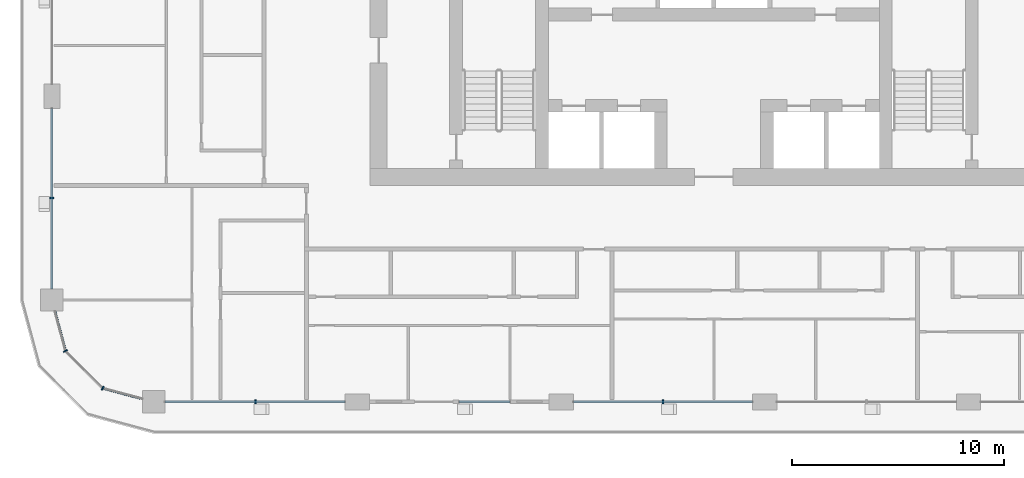
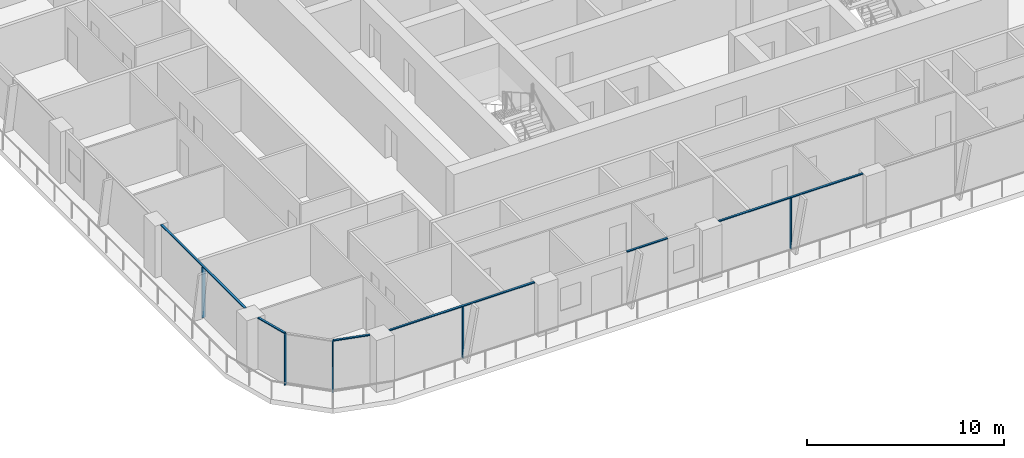
# One storey, part 2 of 22: 11 members, 5 elements without a shape of their own.
"""IFC4 building model written with IfcOpenShell, lengths in metres."""

from ifc_helpers import new_model, si_unit, direction, frame, origin, origin_2d, place, context, subcontext, project, spatial, rectangle, extrude, material, layer, layer_set, material_profile, profile_set, type_object, element, aggregate, save


model = new_model("IFC4")

# Units and contexts
model_context = context("Model", 3, precision=1e-05, world=origin(), true_north=direction((0.0, 1.0)))
body_context = subcontext(model_context, "Body", "Model", "MODEL_VIEW")
ifc_project = project(units=[si_unit("LENGTHUNIT", "METRE"), si_unit("AREAUNIT", "SQUARE_METRE"), si_unit("VOLUMEUNIT", "CUBIC_METRE"), si_unit("PLANEANGLEUNIT", "RADIAN"), si_unit("MASSUNIT", "GRAM", prefix="KILO")], contexts=[model_context])

# Site, building, storey
site_placement = place(None, origin())
site = spatial("IfcSite", under=ifc_project, at=site_placement, CompositionType="ELEMENT")
building_placement = place(site_placement, origin())
building = spatial("IfcBuilding", under=site, at=building_placement, Name="Madar Terraces", CompositionType="ELEMENT")
storey_placement = place(building_placement, frame((0.0, 0.0, 129.60009765625)))
storey = spatial("IfcBuildingStorey", under=building, at=storey_placement, Name="L33", CompositionType="ELEMENT", Elevation=129.60009765625)

# Curtain wall, member
ifc_material_1 = material(Name="Glass, ceramic frit dark grey, with black aluminium frame", Category="aluminium")
ifc_layer = layer(ifc_material_1, 0.199951171875)
ifc_layer_set = layer_set([ifc_layer], Name="Facade curtain wall, fritted glass")
curtain_wall_type = type_object("IfcCurtainWallType", Name="Facade curtain wall, fritted glass", PredefinedType="NOTDEFINED", material=ifc_layer_set)
curtain_wall_1_placement = place(storey_placement, origin())
curtain_wall_1 = element("IfcCurtainWall", 1, at=curtain_wall_1_placement, inside=storey, type_object=curtain_wall_type, Name="Outer skin curtain wall south bay 1", PredefinedType="NOTDEFINED")
ifc_material_2 = material(Name="Aluminium, black anodised", Category="aluminium")
ifc_material_profile_1 = material_profile(ifc_material_2, rectangle(XDim=0.199951171875, YDim=0.06005859375, at=origin_2d()), Name="Facade mullion 60x200")
ifc_profile_set_1 = profile_set([ifc_material_profile_1], Name="Aluminium, black anodised")
member_type_1 = type_object("IfcMemberType", Name="Facade mullion 60x200", PredefinedType="MULLION", material=ifc_profile_set_1)
member_1_placement = place(storey_placement, frame((9.60009765625, 4.800048828125, 0.0), z_axis=(0.0, 0.0, 1.0), x_axis=(0.0, 1.0, 0.0)))
member_1 = element("IfcMember", 2, at=member_1_placement, type_object=member_type_1, Name="Mullion 1", PredefinedType="MULLION", context=body_context, shape_type="SweptSolid", body=[
    extrude(rectangle(XDim=0.199951171875, YDim=0.06005859375, at=origin_2d()), origin(), (0.0, 0.0, 1.0), 3.139892578125),
])

curtain_wall_2_placement = place(storey_placement, origin())
curtain_wall_2 = element("IfcCurtainWall", 3, at=curtain_wall_2_placement, inside=storey, type_object=curtain_wall_type, Name="Outer skin curtain wall south bay 3", PredefinedType="NOTDEFINED")
member_2_placement = place(storey_placement, frame((28.800048828125, 4.800048828125, 0.0), z_axis=(0.0, 0.0, 1.0), x_axis=(0.0, 1.0, 0.0)))
member_2 = element("IfcMember", 4, at=member_2_placement, type_object=member_type_1, Name="Mullion 1", PredefinedType="MULLION", context=body_context, shape_type="SweptSolid", body=[
    extrude(rectangle(XDim=0.199951171875, YDim=0.06005859375, at=origin_2d()), origin(), (0.0, 0.0, 1.0), 3.139892578125),
])

curtain_wall_3_placement = place(storey_placement, origin())
curtain_wall_3 = element("IfcCurtainWall", 5, at=curtain_wall_3_placement, inside=storey, type_object=curtain_wall_type, Name="Outer skin curtain wall west bay 4", PredefinedType="NOTDEFINED")
member_3_placement = place(storey_placement, frame((0.0, 14.39990234375, 0.0), z_axis=(0.0, 0.0, 1.0), x_axis=(1.0, 0.0, 0.0)))
member_3 = element("IfcMember", 6, at=member_3_placement, type_object=member_type_1, Name="Mullion 1", PredefinedType="MULLION", context=body_context, shape_type="SweptSolid", body=[
    extrude(rectangle(XDim=0.199951171875, YDim=0.06005859375, at=origin_2d()), origin(), (0.0, 0.0, 1.0), 3.139892578125),
])

# Curtain wall, members
curtain_wall_4_placement = place(storey_placement, origin())
curtain_wall_4 = element("IfcCurtainWall", 7, at=curtain_wall_4_placement, inside=storey, type_object=curtain_wall_type, Name="Outer skin curtain wall south-west corner", PredefinedType="NOTDEFINED")
member_4_placement = place(storey_placement, frame((0.64306640625, 7.199951171875, 0.0), z_axis=(0.0, 0.0, 1.0), x_axis=(0.866025409797, 0.499999989586, 0.0)))
member_4 = element("IfcMember", 8, at=member_4_placement, type_object=member_type_1, Name="Mullion 1", PredefinedType="MULLION", context=body_context, shape_type="SweptSolid", body=[
    extrude(rectangle(XDim=0.199951171875, YDim=0.06005859375, at=origin_2d()), origin(), (0.0, 0.0, 1.0), 3.139892578125),
])
member_5_placement = place(storey_placement, frame((2.39990234375, 5.443115234375, 0.0), z_axis=(0.0, 0.0, 1.0), x_axis=(0.499999989586, 0.866025409797, 0.0)))
member_5 = element("IfcMember", 9, at=member_5_placement, type_object=member_type_1, Name="Mullion 2", PredefinedType="MULLION", context=body_context, shape_type="SweptSolid", body=[
    extrude(rectangle(XDim=0.199951171875, YDim=0.06005859375, at=origin_2d()), origin(), (0.0, 0.0, 1.0), 3.139892578125),
])

# Member
ifc_material_3 = material(Name="Aluminium, black anodised", Category="aluminium")
ifc_material_profile_2 = material_profile(ifc_material_3, rectangle(XDim=0.1201171875, YDim=0.06005859375, at=origin_2d()), Name="Facade transom 60x120")
ifc_profile_set_2 = profile_set([ifc_material_profile_2], Name="Aluminium, black anodised")
member_type_2 = type_object("IfcMemberType", Name="Facade transom 60x120", PredefinedType="USERDEFINED", material=ifc_profile_set_2)
member_6_placement = place(storey_placement, frame((5.324951171875, 4.800048828125, 3.169921875), z_axis=(1.0, 0.0, 0.0), x_axis=(0.0, 1.0, 0.0)))
member_6 = element("IfcMember", 10, at=member_6_placement, type_object=member_type_2, Name="Transom 1", ObjectType="TRANSOM", PredefinedType="USERDEFINED", context=body_context, shape_type="SweptSolid", body=[
    extrude(rectangle(XDim=0.1201171875, YDim=0.06005859375, at=origin_2d()), origin(), (0.0, 0.0, 1.0), 8.5),
])

aggregate(curtain_wall_1, [member_1, member_6])

# Curtain wall, member
curtain_wall_5_placement = place(storey_placement, origin())
curtain_wall_5 = element("IfcCurtainWall", 11, at=curtain_wall_5_placement, inside=storey, type_object=curtain_wall_type, Name="Outer skin curtain wall south bay 2", PredefinedType="NOTDEFINED")
member_7_placement = place(storey_placement, frame((19.199951171875, 4.800048828125, 3.169921875), z_axis=(1.0, 0.0, 0.0), x_axis=(0.0, 1.0, 0.0)))
member_7 = element("IfcMember", 12, at=member_7_placement, type_object=member_type_2, Name="Transom 1", ObjectType="TRANSOM", PredefinedType="USERDEFINED", context=body_context, shape_type="SweptSolid", body=[
    extrude(rectangle(XDim=0.1201171875, YDim=0.06005859375, at=origin_2d()), origin(), (0.0, 0.0, 1.0), 2.400146484375),
])
aggregate(curtain_wall_5, [member_7])

# Member
member_8_placement = place(storey_placement, frame((24.574951171875, 4.800048828125, 3.169921875), z_axis=(1.0, 0.0, 0.0), x_axis=(0.0, 1.0, 0.0)))
member_8 = element("IfcMember", 13, at=member_8_placement, type_object=member_type_2, Name="Transom 1", ObjectType="TRANSOM", PredefinedType="USERDEFINED", context=body_context, shape_type="SweptSolid", body=[
    extrude(rectangle(XDim=0.1201171875, YDim=0.06005859375, at=origin_2d()), origin(), (0.0, 0.0, 1.0), 8.449951171875),
])

aggregate(curtain_wall_2, [member_2, member_8])

member_9_placement = place(storey_placement, frame((0.0, 18.625, 3.169921875), z_axis=(0.0, -1.0, 0.0), x_axis=(1.0, 0.0, 0.0)))
member_9 = element("IfcMember", 14, at=member_9_placement, type_object=member_type_2, Name="Transom 1", ObjectType="TRANSOM", PredefinedType="USERDEFINED", context=body_context, shape_type="SweptSolid", body=[
    extrude(rectangle(XDim=0.1201171875, YDim=0.06005859375, at=origin_2d()), origin(), (0.0, 0.0, 1.0), 8.5),
])

aggregate(curtain_wall_3, [member_3, member_9])

member_10_placement = place(storey_placement, frame((0.140625, 9.074951171875, 3.169921875), z_axis=(0.258823354654, -0.965924671538, 0.0), x_axis=(0.965924671538, 0.258823354654, 0.0)))
member_10 = element("IfcMember", 15, at=member_10_placement, type_object=member_type_2, Name="Transom 1", ObjectType="TRANSOM", PredefinedType="USERDEFINED", context=body_context, shape_type="SweptSolid", body=[
    extrude(rectangle(XDim=0.1201171875, YDim=0.06005859375, at=origin_2d()), origin(), (0.0, 0.0, 1.0), 1.9111328125),
])

member_11_placement = place(storey_placement, frame((2.428955078125, 5.435302734375, 3.169921875), z_axis=(0.965924671538, -0.258823354654, 0.0), x_axis=(0.258823354654, 0.965924671538, 0.0)))
member_11 = element("IfcMember", 16, at=member_11_placement, type_object=member_type_2, Name="Transom 3", ObjectType="TRANSOM", PredefinedType="USERDEFINED", context=body_context, shape_type="SweptSolid", body=[
    extrude(rectangle(XDim=0.1201171875, YDim=0.06005859375, at=origin_2d()), origin(), (0.0, 0.0, 1.0), 1.9111328125),
])

aggregate(curtain_wall_4, [member_4, member_10, member_5, member_11])

save(model, "model.ifc")
